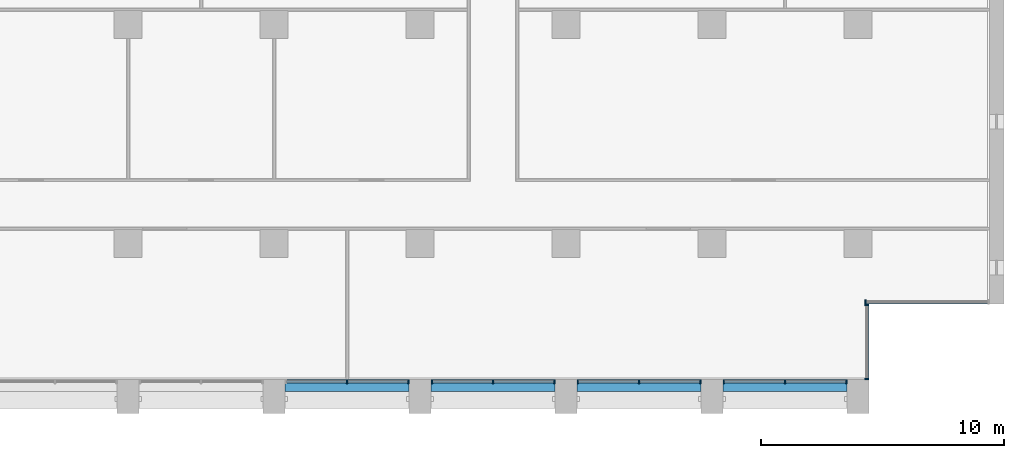
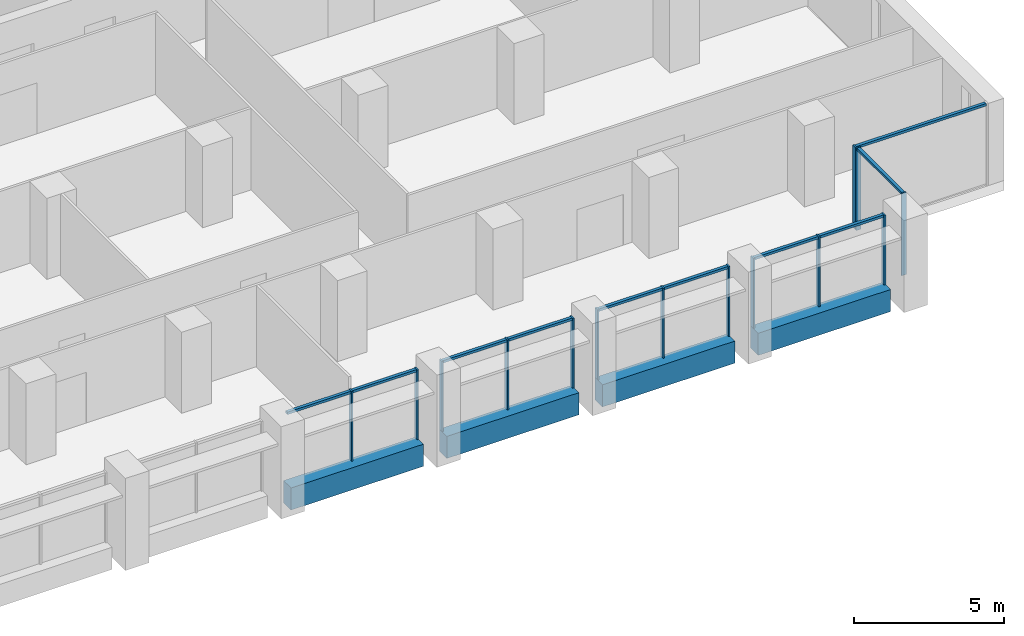
# One storey, part 3 of 17: 24 members, 4 beams, 6 elements without a shape of their own.
"""IFC4 building model written with IfcOpenShell, lengths in metres."""

from ifc_helpers import new_model, si_unit, direction, frame, origin, origin_2d, place, context, subcontext, project, spatial, rectangle, extrude, material, material_profile, profile_set, type_object, element, aggregate, save


model = new_model("IFC4")

# Units and contexts
model_context = context("Model", 3, precision=1e-05, world=origin(), true_north=direction((0.0, 1.0)))
body_context = subcontext(model_context, "Body", "Model", "MODEL_VIEW")
ifc_project = project(units=[si_unit("LENGTHUNIT", "METRE"), si_unit("AREAUNIT", "SQUARE_METRE"), si_unit("VOLUMEUNIT", "CUBIC_METRE"), si_unit("PLANEANGLEUNIT", "RADIAN"), si_unit("MASSUNIT", "GRAM", prefix="KILO")], contexts=[model_context])

# Site, building, storey
site_placement = place(None, origin())
site = spatial("IfcSite", under=ifc_project, at=site_placement, CompositionType="ELEMENT")
building_placement = place(site_placement, origin())
building = spatial("IfcBuilding", under=site, at=building_placement, Name="Calvaro Tower", CompositionType="ELEMENT")
storey_placement = place(building_placement, frame((0.0, 0.0, 185.5)))
storey = spatial("IfcBuildingStorey", under=building, at=storey_placement, Name="L46", CompositionType="ELEMENT", Elevation=185.5)

# Curtain wall, members
ifc_material_1 = material(Name="Anodised aluminium", Category="aluminium")
curtain_wall_type = type_object("IfcCurtainWallType", Name="Office curtain wall, upper zone", PredefinedType="NOTDEFINED", material=ifc_material_1)
curtain_wall_1_placement = place(storey_placement, origin())
curtain_wall_1 = element("IfcCurtainWall", 1, at=curtain_wall_1_placement, inside=storey, type_object=curtain_wall_type, Name="CW3 south curtain wall", PredefinedType="NOTDEFINED")
ifc_material_2 = material(Name="Anodised aluminium", Category="aluminium")
ifc_material_profile_1 = material_profile(ifc_material_2, rectangle(XDim=0.179931640625, YDim=0.06005859375, at=origin_2d()), Name="Mullion S3 60 x 180")
ifc_profile_set_1 = profile_set([ifc_material_profile_1], Name="Anodised aluminium")
member_type_1 = type_object("IfcMemberType", Name="Mullion S3 60 x 180", PredefinedType="MULLION", material=ifc_profile_set_1)
member_1_placement = place(storey_placement, frame((45.0, 4.31005859375, 0.0), z_axis=(0.0, 0.0, 1.0), x_axis=(0.0, 1.0, 0.0)))
member_1 = element("IfcMember", 2, at=member_1_placement, type_object=member_type_1, Name="CW3 mullion 2", PredefinedType="MULLION", context=body_context, shape_type="SweptSolid", body=[
    extrude(rectangle(XDim=0.179931640625, YDim=0.06005859375, at=origin_2d()), origin(), (0.0, 0.0, 1.0), 2.85009765625),
])
member_2_placement = place(storey_placement, frame((47.52001953125, 4.31005859375, 0.0), z_axis=(0.0, 0.0, 1.0), x_axis=(0.0, 1.0, 0.0)))
member_2 = element("IfcMember", 3, at=member_2_placement, type_object=member_type_1, Name="CW3 mullion 3", PredefinedType="MULLION", context=body_context, shape_type="SweptSolid", body=[
    extrude(rectangle(XDim=0.179931640625, YDim=0.06005859375, at=origin_2d()), origin(), (0.0, 0.0, 1.0), 2.85009765625),
])

curtain_wall_2_placement = place(storey_placement, origin())
curtain_wall_2 = element("IfcCurtainWall", 4, at=curtain_wall_2_placement, inside=storey, type_object=curtain_wall_type, Name="CW3 south curtain wall", PredefinedType="NOTDEFINED")
member_3_placement = place(storey_placement, frame((48.47998046875, 4.31005859375, 0.0), z_axis=(0.0, 0.0, 1.0), x_axis=(0.0, 1.0, 0.0)))
member_3 = element("IfcMember", 5, at=member_3_placement, type_object=member_type_1, Name="CW3 mullion 1", PredefinedType="MULLION", context=body_context, shape_type="SweptSolid", body=[
    extrude(rectangle(XDim=0.179931640625, YDim=0.06005859375, at=origin_2d()), origin(), (0.0, 0.0, 1.0), 2.85009765625),
])
member_4_placement = place(storey_placement, frame((51.0, 4.31005859375, 0.0), z_axis=(0.0, 0.0, 1.0), x_axis=(0.0, 1.0, 0.0)))
member_4 = element("IfcMember", 6, at=member_4_placement, type_object=member_type_1, Name="CW3 mullion 2", PredefinedType="MULLION", context=body_context, shape_type="SweptSolid", body=[
    extrude(rectangle(XDim=0.179931640625, YDim=0.06005859375, at=origin_2d()), origin(), (0.0, 0.0, 1.0), 2.85009765625),
])
member_5_placement = place(storey_placement, frame((53.52001953125, 4.31005859375, 0.0), z_axis=(0.0, 0.0, 1.0), x_axis=(0.0, 1.0, 0.0)))
member_5 = element("IfcMember", 7, at=member_5_placement, type_object=member_type_1, Name="CW3 mullion 3", PredefinedType="MULLION", context=body_context, shape_type="SweptSolid", body=[
    extrude(rectangle(XDim=0.179931640625, YDim=0.06005859375, at=origin_2d()), origin(), (0.0, 0.0, 1.0), 2.85009765625),
])

curtain_wall_3_placement = place(storey_placement, origin())
curtain_wall_3 = element("IfcCurtainWall", 8, at=curtain_wall_3_placement, inside=storey, type_object=curtain_wall_type, Name="CW3 south curtain wall", PredefinedType="NOTDEFINED")
member_6_placement = place(storey_placement, frame((54.47998046875, 4.31005859375, 0.0), z_axis=(0.0, 0.0, 1.0), x_axis=(0.0, 1.0, 0.0)))
member_6 = element("IfcMember", 9, at=member_6_placement, type_object=member_type_1, Name="CW3 mullion 1", PredefinedType="MULLION", context=body_context, shape_type="SweptSolid", body=[
    extrude(rectangle(XDim=0.179931640625, YDim=0.06005859375, at=origin_2d()), origin(), (0.0, 0.0, 1.0), 2.85009765625),
])
member_7_placement = place(storey_placement, frame((57.0, 4.31005859375, 0.0), z_axis=(0.0, 0.0, 1.0), x_axis=(0.0, 1.0, 0.0)))
member_7 = element("IfcMember", 10, at=member_7_placement, type_object=member_type_1, Name="CW3 mullion 2", PredefinedType="MULLION", context=body_context, shape_type="SweptSolid", body=[
    extrude(rectangle(XDim=0.179931640625, YDim=0.06005859375, at=origin_2d()), origin(), (0.0, 0.0, 1.0), 2.85009765625),
])
member_8_placement = place(storey_placement, frame((59.52001953125, 4.31005859375, 0.0), z_axis=(0.0, 0.0, 1.0), x_axis=(0.0, 1.0, 0.0)))
member_8 = element("IfcMember", 11, at=member_8_placement, type_object=member_type_1, Name="CW3 mullion 3", PredefinedType="MULLION", context=body_context, shape_type="SweptSolid", body=[
    extrude(rectangle(XDim=0.179931640625, YDim=0.06005859375, at=origin_2d()), origin(), (0.0, 0.0, 1.0), 2.85009765625),
])

curtain_wall_4_placement = place(storey_placement, origin())
curtain_wall_4 = element("IfcCurtainWall", 12, at=curtain_wall_4_placement, inside=storey, type_object=curtain_wall_type, Name="CW3 south curtain wall", PredefinedType="NOTDEFINED")
member_9_placement = place(storey_placement, frame((60.47998046875, 4.31005859375, 0.0), z_axis=(0.0, 0.0, 1.0), x_axis=(0.0, 1.0, 0.0)))
member_9 = element("IfcMember", 13, at=member_9_placement, type_object=member_type_1, Name="CW3 mullion 1", PredefinedType="MULLION", context=body_context, shape_type="SweptSolid", body=[
    extrude(rectangle(XDim=0.179931640625, YDim=0.06005859375, at=origin_2d()), origin(), (0.0, 0.0, 1.0), 2.85009765625),
])
member_10_placement = place(storey_placement, frame((63.0, 4.31005859375, 0.0), z_axis=(0.0, 0.0, 1.0), x_axis=(0.0, 1.0, 0.0)))
member_10 = element("IfcMember", 14, at=member_10_placement, type_object=member_type_1, Name="CW3 mullion 2", PredefinedType="MULLION", context=body_context, shape_type="SweptSolid", body=[
    extrude(rectangle(XDim=0.179931640625, YDim=0.06005859375, at=origin_2d()), origin(), (0.0, 0.0, 1.0), 2.85009765625),
])
member_11_placement = place(storey_placement, frame((65.52001953125, 4.31005859375, 0.0), z_axis=(0.0, 0.0, 1.0), x_axis=(0.0, 1.0, 0.0)))
member_11 = element("IfcMember", 15, at=member_11_placement, type_object=member_type_1, Name="CW3 mullion 3", PredefinedType="MULLION", context=body_context, shape_type="SweptSolid", body=[
    extrude(rectangle(XDim=0.179931640625, YDim=0.06005859375, at=origin_2d()), origin(), (0.0, 0.0, 1.0), 2.85009765625),
])

curtain_wall_5_placement = place(storey_placement, origin())
curtain_wall_5 = element("IfcCurtainWall", 16, at=curtain_wall_5_placement, inside=storey, type_object=curtain_wall_type, Name="CW3 corner curtain wall", PredefinedType="NOTDEFINED")
member_12_placement = place(storey_placement, frame((66.360107421875, 4.429931640625, 0.0), z_axis=(0.0, 0.0, 1.0), x_axis=(-1.0, 0.0, 0.0)))
member_12 = element("IfcMember", 17, at=member_12_placement, type_object=member_type_1, Name="CW3 mullion 1", PredefinedType="MULLION", context=body_context, shape_type="SweptSolid", body=[
    extrude(rectangle(XDim=0.179931640625, YDim=0.06005859375, at=origin_2d()), origin(), (0.0, 0.0, 1.0), 3.35009765625),
])
member_13_placement = place(storey_placement, frame((66.360107421875, 7.469970703125, 0.0), z_axis=(0.0, 0.0, 1.0), x_axis=(-1.0, 0.0, 0.0)))
member_13 = element("IfcMember", 18, at=member_13_placement, type_object=member_type_1, Name="CW3 mullion 2", PredefinedType="MULLION", context=body_context, shape_type="SweptSolid", body=[
    extrude(rectangle(XDim=0.179931640625, YDim=0.06005859375, at=origin_2d()), origin(), (0.0, 0.0, 1.0), 3.35009765625),
])

# Curtain wall, member
curtain_wall_6_placement = place(storey_placement, origin())
curtain_wall_6 = element("IfcCurtainWall", 19, at=curtain_wall_6_placement, inside=storey, type_object=curtain_wall_type, Name="CW3 corner curtain wall", PredefinedType="NOTDEFINED")
member_14_placement = place(storey_placement, frame((66.300048828125, 7.590087890625, 0.0), z_axis=(0.0, 0.0, 1.0), x_axis=(0.0, 1.0, 0.0)))
member_14 = element("IfcMember", 20, at=member_14_placement, type_object=member_type_1, Name="CW3 mullion 1", PredefinedType="MULLION", context=body_context, shape_type="SweptSolid", body=[
    extrude(rectangle(XDim=0.179931640625, YDim=0.06005859375, at=origin_2d()), origin(), (0.0, 0.0, 1.0), 3.35009765625),
])

# Beams
ifc_material_3 = material(Name="Concrete C50/60 precast", Category="concrete")
ifc_material_profile_2 = material_profile(ifc_material_3, rectangle(XDim=0.5, YDim=0.89990234375, at=origin_2d()), Name="RC 500x900")
ifc_profile_set_2 = profile_set([ifc_material_profile_2], Name="Concrete C50/60 precast")
beam_type = type_object("IfcBeamType", Name="Spandrel beam 500x900 C50/60", PredefinedType="SPANDREL", material=ifc_profile_set_2)
for number, where, z_axis, x_axis, name in (
    (21, (42.449951171875, 4.14990234375, -0.449951171875), (1.0, 0.0, 0.0), (0.0, 1.0, 0.0), "Spandrel beam"),
    (22, (48.449951171875, 4.14990234375, -0.449951171875), (1.0, 0.0, 0.0), (0.0, 1.0, 0.0), "Spandrel beam"),
    (23, (54.449951171875, 4.14990234375, -0.449951171875), (1.0, 0.0, 0.0), (0.0, 1.0, 0.0), "Spandrel beam"),
    (24, (60.449951171875, 4.14990234375, -0.449951171875), (1.0, 0.0, 0.0), (0.0, 1.0, 0.0), "Spandrel beam"),
):
    element("IfcBeam", number, at=place(storey_placement, frame(where, z_axis=z_axis, x_axis=x_axis)), inside=storey, type_object=beam_type, Name=name, PredefinedType="SPANDREL", context=body_context, shape_type="SweptSolid", body=[
        extrude(rectangle(XDim=0.5, YDim=0.89990234375, at=origin_2d()), origin(), (0.0, 0.0, 1.0), 5.10009765625),
    ])

# Member
ifc_material_4 = material(Name="Anodised aluminium", Category="aluminium")
ifc_material_profile_3 = material_profile(ifc_material_4, rectangle(XDim=0.1201171875, YDim=0.10009765625, at=origin_2d()), Name="Transom S3 100 x 120")
ifc_profile_set_3 = profile_set([ifc_material_profile_3], Name="Anodised aluminium")
member_type_2 = type_object("IfcMemberType", Name="Transom S3 100 x 120", PredefinedType="USERDEFINED", material=ifc_profile_set_3)
member_15_placement = place(storey_placement, frame((42.510009765625, 4.31005859375, 2.800048828125), z_axis=(1.0, 0.0, 0.0), x_axis=(0.0, 1.0, 0.0)))
member_15 = element("IfcMember", 25, at=member_15_placement, type_object=member_type_2, Name="CW3 transom 1.1", ObjectType="TRANSOM", PredefinedType="USERDEFINED", context=body_context, shape_type="SweptSolid", body=[
    extrude(rectangle(XDim=0.1201171875, YDim=0.10009765625, at=origin_2d()), origin(), (0.0, 0.0, 1.0), 2.4599609375),
])

member_16_placement = place(storey_placement, frame((45.030029296875, 4.31005859375, 2.800048828125), z_axis=(1.0, 0.0, 0.0), x_axis=(0.0, 1.0, 0.0)))
member_16 = element("IfcMember", 26, at=member_16_placement, type_object=member_type_2, Name="CW3 transom 2.1", ObjectType="TRANSOM", PredefinedType="USERDEFINED", context=body_context, shape_type="SweptSolid", body=[
    extrude(rectangle(XDim=0.1201171875, YDim=0.10009765625, at=origin_2d()), origin(), (0.0, 0.0, 1.0), 2.4599609375),
])

aggregate(curtain_wall_1, [member_1, member_2, member_15, member_16])

member_17_placement = place(storey_placement, frame((48.510009765625, 4.31005859375, 2.800048828125), z_axis=(1.0, 0.0, 0.0), x_axis=(0.0, 1.0, 0.0)))
member_17 = element("IfcMember", 27, at=member_17_placement, type_object=member_type_2, Name="CW3 transom 1.1", ObjectType="TRANSOM", PredefinedType="USERDEFINED", context=body_context, shape_type="SweptSolid", body=[
    extrude(rectangle(XDim=0.1201171875, YDim=0.10009765625, at=origin_2d()), origin(), (0.0, 0.0, 1.0), 2.4599609375),
])

member_18_placement = place(storey_placement, frame((51.030029296875, 4.31005859375, 2.800048828125), z_axis=(1.0, 0.0, 0.0), x_axis=(0.0, 1.0, 0.0)))
member_18 = element("IfcMember", 28, at=member_18_placement, type_object=member_type_2, Name="CW3 transom 2.1", ObjectType="TRANSOM", PredefinedType="USERDEFINED", context=body_context, shape_type="SweptSolid", body=[
    extrude(rectangle(XDim=0.1201171875, YDim=0.10009765625, at=origin_2d()), origin(), (0.0, 0.0, 1.0), 2.4599609375),
])

aggregate(curtain_wall_2, [member_3, member_4, member_5, member_17, member_18])

member_19_placement = place(storey_placement, frame((54.510009765625, 4.31005859375, 2.800048828125), z_axis=(1.0, 0.0, 0.0), x_axis=(0.0, 1.0, 0.0)))
member_19 = element("IfcMember", 29, at=member_19_placement, type_object=member_type_2, Name="CW3 transom 1.1", ObjectType="TRANSOM", PredefinedType="USERDEFINED", context=body_context, shape_type="SweptSolid", body=[
    extrude(rectangle(XDim=0.1201171875, YDim=0.10009765625, at=origin_2d()), origin(), (0.0, 0.0, 1.0), 2.4599609375),
])

member_20_placement = place(storey_placement, frame((57.030029296875, 4.31005859375, 2.800048828125), z_axis=(1.0, 0.0, 0.0), x_axis=(0.0, 1.0, 0.0)))
member_20 = element("IfcMember", 30, at=member_20_placement, type_object=member_type_2, Name="CW3 transom 2.1", ObjectType="TRANSOM", PredefinedType="USERDEFINED", context=body_context, shape_type="SweptSolid", body=[
    extrude(rectangle(XDim=0.1201171875, YDim=0.10009765625, at=origin_2d()), origin(), (0.0, 0.0, 1.0), 2.4599609375),
])

aggregate(curtain_wall_3, [member_6, member_7, member_8, member_19, member_20])

member_21_placement = place(storey_placement, frame((60.510009765625, 4.31005859375, 2.800048828125), z_axis=(1.0, 0.0, 0.0), x_axis=(0.0, 1.0, 0.0)))
member_21 = element("IfcMember", 31, at=member_21_placement, type_object=member_type_2, Name="CW3 transom 1.1", ObjectType="TRANSOM", PredefinedType="USERDEFINED", context=body_context, shape_type="SweptSolid", body=[
    extrude(rectangle(XDim=0.1201171875, YDim=0.10009765625, at=origin_2d()), origin(), (0.0, 0.0, 1.0), 2.4599609375),
])

member_22_placement = place(storey_placement, frame((63.030029296875, 4.31005859375, 2.800048828125), z_axis=(1.0, 0.0, 0.0), x_axis=(0.0, 1.0, 0.0)))
member_22 = element("IfcMember", 32, at=member_22_placement, type_object=member_type_2, Name="CW3 transom 2.1", ObjectType="TRANSOM", PredefinedType="USERDEFINED", context=body_context, shape_type="SweptSolid", body=[
    extrude(rectangle(XDim=0.1201171875, YDim=0.10009765625, at=origin_2d()), origin(), (0.0, 0.0, 1.0), 2.4599609375),
])

aggregate(curtain_wall_4, [member_9, member_10, member_11, member_21, member_22])

member_23_placement = place(storey_placement, frame((66.360107421875, 4.4599609375, 3.300048828125), z_axis=(0.0, 1.0, 0.0), x_axis=(-1.0, 0.0, 0.0)))
member_23 = element("IfcMember", 33, at=member_23_placement, type_object=member_type_2, Name="CW3 transom 1.1", ObjectType="TRANSOM", PredefinedType="USERDEFINED", context=body_context, shape_type="SweptSolid", body=[
    extrude(rectangle(XDim=0.1201171875, YDim=0.10009765625, at=origin_2d()), origin(), (0.0, 0.0, 1.0), 2.97998046875),
])

aggregate(curtain_wall_5, [member_12, member_13, member_23])

member_24_placement = place(storey_placement, frame((66.330078125, 7.590087890625, 3.300048828125), z_axis=(1.0, 0.0, 0.0), x_axis=(0.0, 1.0, 0.0)))
member_24 = element("IfcMember", 34, at=member_24_placement, type_object=member_type_2, Name="CW3 transom 1.1", ObjectType="TRANSOM", PredefinedType="USERDEFINED", context=body_context, shape_type="SweptSolid", body=[
    extrude(rectangle(XDim=0.1201171875, YDim=0.10009765625, at=origin_2d()), origin(), (0.0, 0.0, 1.0), 5.010009765625),
])

aggregate(curtain_wall_6, [member_14, member_24])

save(model, "model.ifc")
